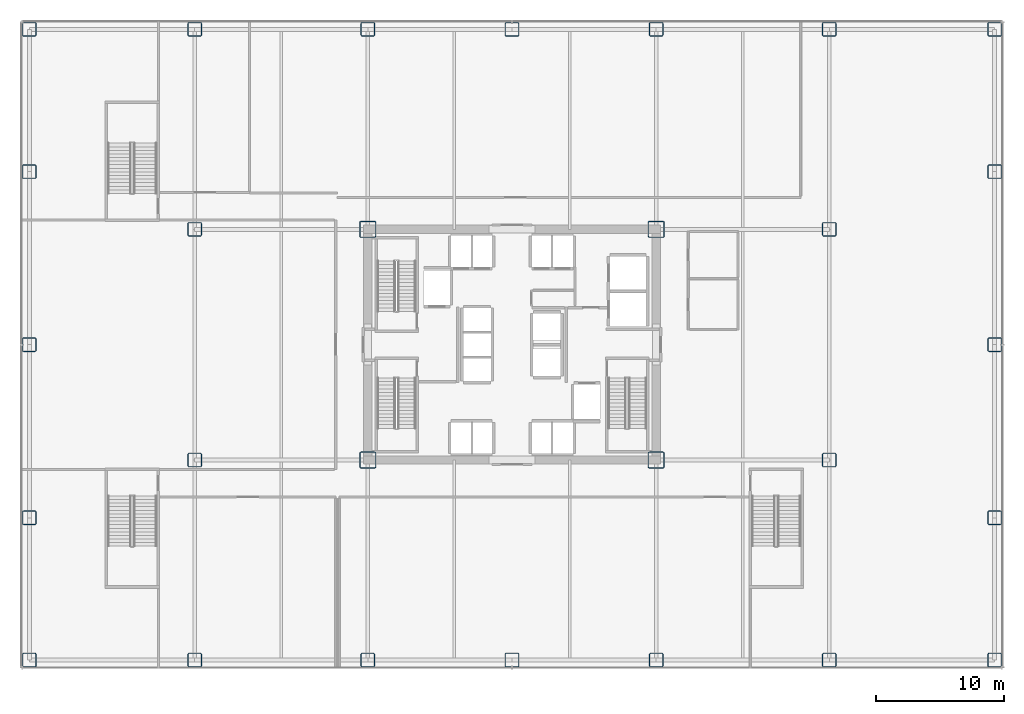
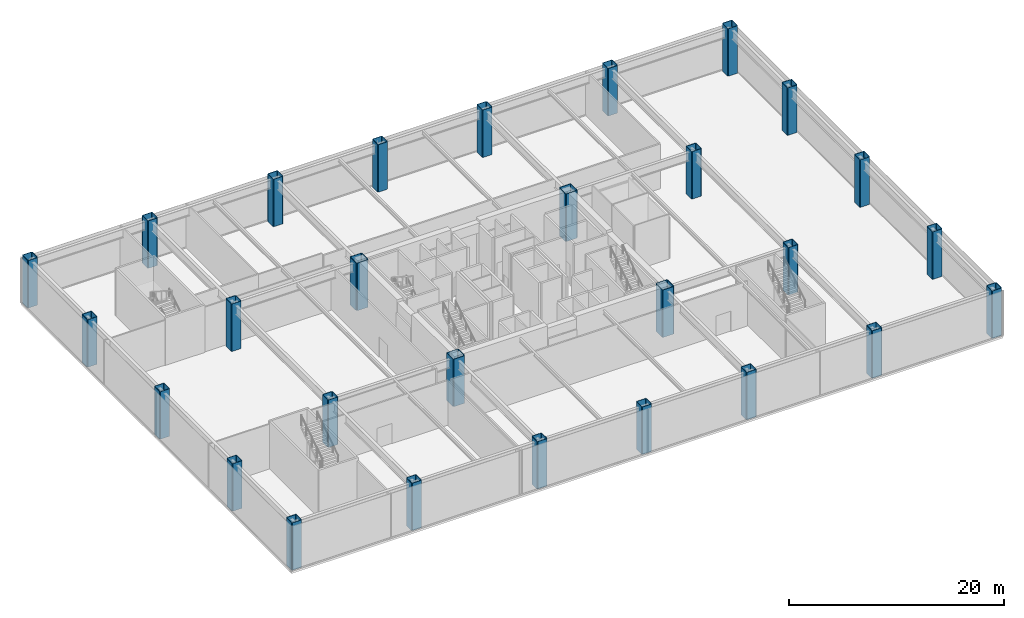
# One storey, part 1 of 24: 28 columns.
"""IFC4 building model written with IfcOpenShell, lengths in metres."""

from ifc_helpers import new_model, si_unit, direction, frame, origin, origin_2d, place, context, subcontext, project, spatial, hollow_rectangle, extrude, source, transform, mapped, material, material_profile, profile_set, type_object, element, save


model = new_model("IFC4")

# Units and contexts
model_context = context("Model", 3, precision=1e-05, world=origin(), true_north=direction((0.0, 1.0)))
body_context = subcontext(model_context, "Body", "Model", "MODEL_VIEW")
ifc_project = project(units=[si_unit("LENGTHUNIT", "METRE"), si_unit("AREAUNIT", "SQUARE_METRE"), si_unit("VOLUMEUNIT", "CUBIC_METRE"), si_unit("PLANEANGLEUNIT", "RADIAN"), si_unit("MASSUNIT", "GRAM", prefix="KILO")], contexts=[model_context])

# Site, building, storey
site_placement = place(None, origin())
site = spatial("IfcSite", under=ifc_project, at=site_placement, CompositionType="ELEMENT")
building_placement = place(site_placement, origin())
building = spatial("IfcBuilding", under=site, at=building_placement, Name="Nefas-Gora Pilgrimage Tower", CompositionType="ELEMENT")
storey_placement = place(building_placement, frame((0.0, 0.0, 11.39990234375)))
storey = spatial("IfcBuildingStorey", under=building, at=storey_placement, Name="L02", CompositionType="ELEMENT", Elevation=11.39990234375)

# Columns
ifc_material = material(Name="Steel S460", Category="steel")
ifc_material_profile_1 = material_profile(ifc_material, hollow_rectangle(XDim=1.10009765625, YDim=1.10009765625, WallThickness=0.054931640625, InnerFilletRadius=0.054931640625, OuterFilletRadius=0.110107421875, at=origin_2d()), Name="BOX 1100x1100x55")
ifc_profile_set_1 = profile_set([ifc_material_profile_1], Name="Steel S460")
column_type_1 = type_object("IfcColumnType", Name="COL-MEGA-1100E", PredefinedType="COLUMN", material=ifc_profile_set_1)
shared_shape_1 = source(origin(), body_context, "Body", "SweptSolid", [
    extrude(hollow_rectangle(XDim=1.10009765625, YDim=1.10009765625, WallThickness=0.054931640625, InnerFilletRadius=0.054931640625, OuterFilletRadius=0.110107421875, at=origin_2d()), origin(), (0.0, 0.0, 1.0), 5.400146484375),
])
for number, where, z_axis, x_axis, name in (
    (1, (-37.64990234375, -24.60009765625, 0.0), (0.0, 0.0, 1.0), (1.0, 0.0, 0.0), "L02 Mega-Column MC-02E.1"),
    (2, (-37.64990234375, -13.5, 0.0), (0.0, 0.0, 1.0), (1.0, 0.0, 0.0), "L02 Mega-Column MC-02E.2"),
    (3, (-37.64990234375, 0.0, 0.0), (0.0, 0.0, 1.0), (1.0, 0.0, 0.0), "L02 Mega-Column MC-02E.3"),
    (4, (-37.64990234375, 13.5, 0.0), (0.0, 0.0, 1.0), (1.0, 0.0, 0.0), "L02 Mega-Column MC-02E.4"),
    (5, (-37.64990234375, 24.60009765625, 0.0), (0.0, 0.0, 1.0), (1.0, 0.0, 0.0), "L02 Mega-Column MC-02E.5"),
    (6, (-24.75, -24.60009765625, 0.0), (0.0, 0.0, 1.0), (1.0, 0.0, 0.0), "L02 Mega-Column MC-02E.6"),
    (7, (-24.75, 24.60009765625, 0.0), (0.0, 0.0, 1.0), (1.0, 0.0, 0.0), "L02 Mega-Column MC-02E.9"),
    (8, (-11.25, -24.60009765625, 0.0), (0.0, 0.0, 1.0), (1.0, 0.0, 0.0), "L02 Mega-Column MC-02E.10"),
    (9, (-11.25, 24.60009765625, 0.0), (0.0, 0.0, 1.0), (1.0, 0.0, 0.0), "L02 Mega-Column MC-02E.13"),
    (10, (0.0, -24.60009765625, 0.0), (0.0, 0.0, 1.0), (1.0, 0.0, 0.0), "L02 Mega-Column MC-02E.14"),
    (11, (0.0, 24.60009765625, 0.0), (0.0, 0.0, 1.0), (1.0, 0.0, 0.0), "L02 Mega-Column MC-02E.15"),
    (12, (11.25, -24.60009765625, 0.0), (0.0, 0.0, 1.0), (1.0, 0.0, 0.0), "L02 Mega-Column MC-02E.16"),
    (13, (11.25, 24.60009765625, 0.0), (0.0, 0.0, 1.0), (1.0, 0.0, 0.0), "L02 Mega-Column MC-02E.19"),
    (14, (24.75, -24.60009765625, 0.0), (0.0, 0.0, 1.0), (1.0, 0.0, 0.0), "L02 Mega-Column MC-02E.20"),
    (15, (24.75, 24.60009765625, 0.0), (0.0, 0.0, 1.0), (1.0, 0.0, 0.0), "L02 Mega-Column MC-02E.23"),
    (16, (37.64990234375, -24.60009765625, 0.0), (0.0, 0.0, 1.0), (1.0, 0.0, 0.0), "L02 Mega-Column MC-02E.24"),
    (17, (37.64990234375, -13.5, 0.0), (0.0, 0.0, 1.0), (1.0, 0.0, 0.0), "L02 Mega-Column MC-02E.25"),
    (18, (37.64990234375, 0.0, 0.0), (0.0, 0.0, 1.0), (1.0, 0.0, 0.0), "L02 Mega-Column MC-02E.26"),
    (19, (37.64990234375, 13.5, 0.0), (0.0, 0.0, 1.0), (1.0, 0.0, 0.0), "L02 Mega-Column MC-02E.27"),
    (20, (37.64990234375, 24.60009765625, 0.0), (0.0, 0.0, 1.0), (1.0, 0.0, 0.0), "L02 Mega-Column MC-02E.28"),
):
    element("IfcColumn", number, at=place(storey_placement, frame(where, z_axis=z_axis, x_axis=x_axis)), inside=storey, type_object=column_type_1, Name=name, PredefinedType="COLUMN", context=body_context, shape_type="MappedRepresentation", body=[
        mapped(shared_shape_1, transform((0.0, 0.0, 0.0), x_axis=(1.0, 0.0, 0.0), y_axis=(0.0, 1.0, 0.0), z_axis=(0.0, 0.0, 1.0), scale=1.0)),
    ])
ifc_material_profile_2 = material_profile(ifc_material, hollow_rectangle(XDim=1.10009765625, YDim=1.10009765625, WallThickness=0.054931640625, InnerFilletRadius=0.054931640625, OuterFilletRadius=0.110107421875, at=origin_2d()), Name="BOX 1100x1100x55")
ifc_profile_set_2 = profile_set([ifc_material_profile_2], Name="Steel S460")
column_type_2 = type_object("IfcColumnType", Name="COL-MEGA-1100", PredefinedType="COLUMN", material=ifc_profile_set_2)
shared_shape_2 = source(origin(), body_context, "Body", "SweptSolid", [
    extrude(hollow_rectangle(XDim=1.10009765625, YDim=1.10009765625, WallThickness=0.054931640625, InnerFilletRadius=0.054931640625, OuterFilletRadius=0.110107421875, at=origin_2d()), origin(), (0.0, 0.0, 1.0), 5.400146484375),
])
for number, where, z_axis, x_axis, name in (
    (21, (-24.75, -9.0, 0.0), (0.0, 0.0, 1.0), (1.0, 0.0, 0.0), "L02 Mega-Column MC-02.7"),
    (22, (-24.75, 9.0, 0.0), (0.0, 0.0, 1.0), (1.0, 0.0, 0.0), "L02 Mega-Column MC-02.8"),
    (23, (24.75, -9.0, 0.0), (0.0, 0.0, 1.0), (1.0, 0.0, 0.0), "L02 Mega-Column MC-02.21"),
    (24, (24.75, 9.0, 0.0), (0.0, 0.0, 1.0), (1.0, 0.0, 0.0), "L02 Mega-Column MC-02.22"),
):
    element("IfcColumn", number, at=place(storey_placement, frame(where, z_axis=z_axis, x_axis=x_axis)), inside=storey, type_object=column_type_2, Name=name, PredefinedType="COLUMN", context=body_context, shape_type="MappedRepresentation", body=[
        mapped(shared_shape_2, transform((0.0, 0.0, 0.0), x_axis=(1.0, 0.0, 0.0), y_axis=(0.0, 1.0, 0.0), z_axis=(0.0, 0.0, 1.0), scale=1.0)),
    ])
ifc_material_profile_3 = material_profile(ifc_material, hollow_rectangle(XDim=1.300048828125, YDim=1.300048828125, WallThickness=0.06494140625, InnerFilletRadius=0.06494140625, OuterFilletRadius=0.1298828125, at=origin_2d()), Name="BOX 1300x1300x65")
ifc_profile_set_3 = profile_set([ifc_material_profile_3], Name="Steel S460")
column_type_3 = type_object("IfcColumnType", Name="COL-MEGA-1300", PredefinedType="COLUMN", material=ifc_profile_set_3)
shared_shape_3 = source(origin(), body_context, "Body", "SweptSolid", [
    extrude(hollow_rectangle(XDim=1.300048828125, YDim=1.300048828125, WallThickness=0.06494140625, InnerFilletRadius=0.06494140625, OuterFilletRadius=0.1298828125, at=origin_2d()), origin(), (0.0, 0.0, 1.0), 5.400146484375),
])
for number, where, z_axis, x_axis, name in (
    (25, (-11.25, -9.0, 0.0), (0.0, 0.0, 1.0), (1.0, 0.0, 0.0), "L02 Mega-Column MC-01.11"),
    (26, (-11.25, 9.0, 0.0), (0.0, 0.0, 1.0), (1.0, 0.0, 0.0), "L02 Mega-Column MC-01.12"),
    (27, (11.25, -9.0, 0.0), (0.0, 0.0, 1.0), (1.0, 0.0, 0.0), "L02 Mega-Column MC-01.17"),
    (28, (11.25, 9.0, 0.0), (0.0, 0.0, 1.0), (1.0, 0.0, 0.0), "L02 Mega-Column MC-01.18"),
):
    element("IfcColumn", number, at=place(storey_placement, frame(where, z_axis=z_axis, x_axis=x_axis)), inside=storey, type_object=column_type_3, Name=name, PredefinedType="COLUMN", context=body_context, shape_type="MappedRepresentation", body=[
        mapped(shared_shape_3, transform((0.0, 0.0, 0.0), x_axis=(1.0, 0.0, 0.0), y_axis=(0.0, 1.0, 0.0), z_axis=(0.0, 0.0, 1.0), scale=1.0)),
    ])

save(model, "model.ifc")
